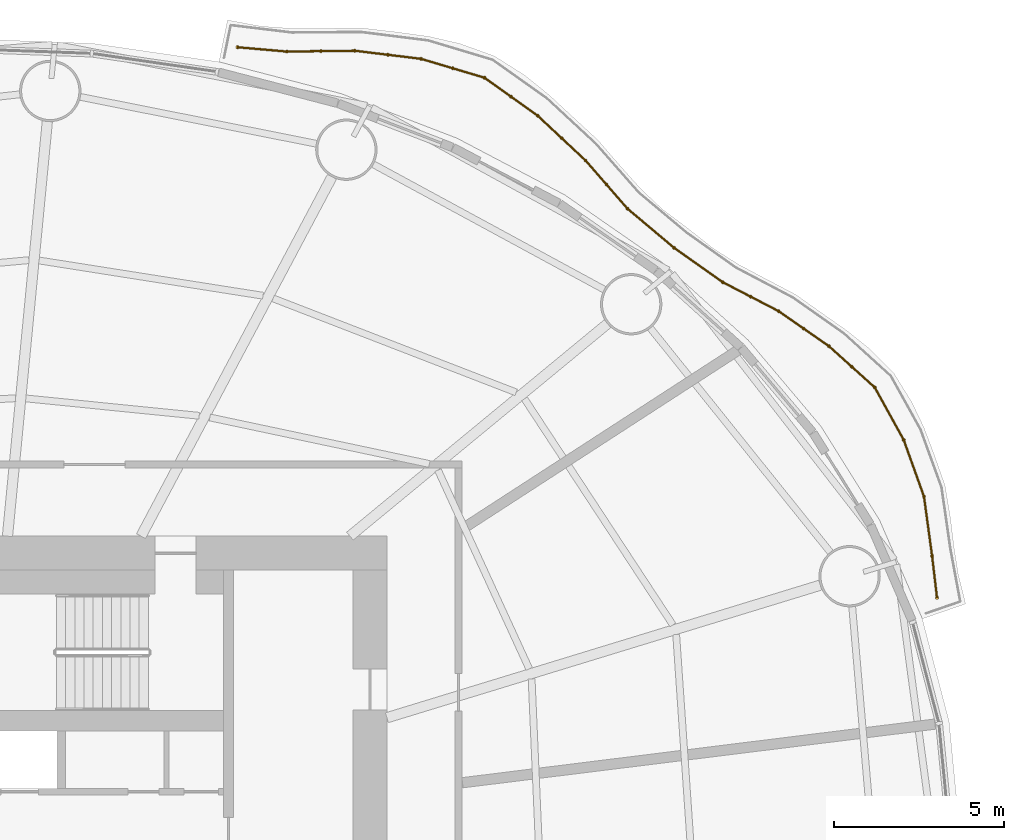
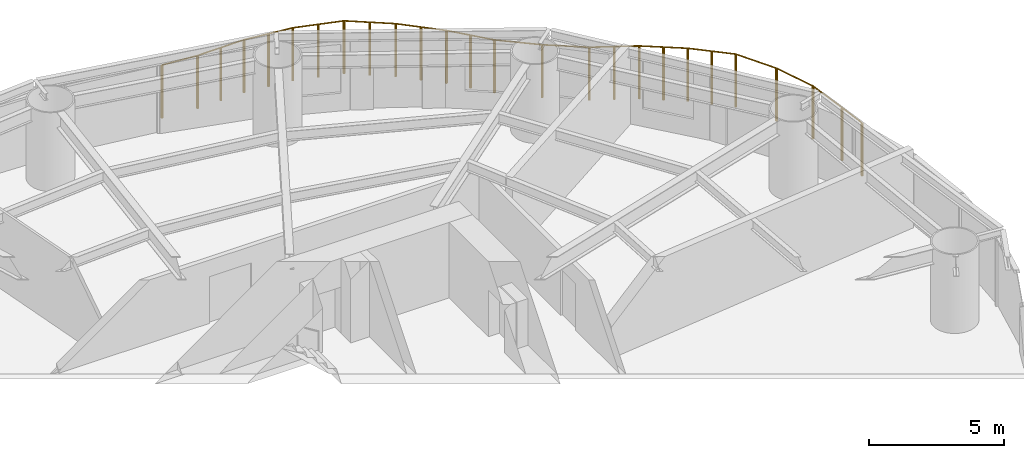
# One storey, part 17 of 17: 1 railing.
"""IFC4 building model written with IfcOpenShell, lengths in metres."""

from ifc_helpers import new_model, si_unit, direction, frame, origin, origin_2d, place, context, subcontext, project, spatial, circle, extrude, material, type_object, element, save


model = new_model("IFC4")

# Units and contexts
model_context = context("Model", 3, precision=1e-05, world=origin(), true_north=direction((0.0, 1.0)))
body_context = subcontext(model_context, "Body", "Model", "MODEL_VIEW")
ifc_project = project(units=[si_unit("LENGTHUNIT", "METRE"), si_unit("AREAUNIT", "SQUARE_METRE"), si_unit("VOLUMEUNIT", "CUBIC_METRE"), si_unit("PLANEANGLEUNIT", "RADIAN"), si_unit("MASSUNIT", "GRAM", prefix="KILO")], contexts=[model_context])

# Site, building, storey
site_placement = place(None, origin())
site = spatial("IfcSite", under=ifc_project, at=site_placement, CompositionType="ELEMENT")
building_placement = place(site_placement, origin())
building = spatial("IfcBuilding", under=site, at=building_placement, Name="Vermilion Reach Broadcast Tower", CompositionType="ELEMENT")
storey_placement = place(building_placement, frame((0.0, 0.0, 39.699951171875)))
storey = spatial("IfcBuildingStorey", under=building, at=storey_placement, Name="L06", CompositionType="ELEMENT", Elevation=39.699951171875)

# Railing
ifc_material = material(Name="Terracotta baguette", Category="masonry")
railing_type = type_object("IfcRailingType", Name="BAGUETTE SCREEN", PredefinedType="USERDEFINED", material=ifc_material)
railing_placement = place(storey_placement, frame((22.14013671875, 7.195556640625, 0.0)))
element("IfcRailing", 1, at=railing_placement, inside=storey, type_object=railing_type, Name="Baguette screen L06 group 1", ObjectType="BAGUETTE SCREEN", PredefinedType="USERDEFINED", context=body_context, shape_type="SweptSolid", body=[
    extrude(circle(Radius=0.030029296875, at=origin_2d()), frame((0.0, 0.0, 2.369873046875), z_axis=(-0.117334886635, 0.993092404753, 0.0), x_axis=(-0.993092404753, -0.117334886635, 0.0)), (0.0, 0.0, 1.0), 1.23388671875),
    extrude(circle(Radius=0.030029296875, at=origin_2d()), frame((-0.144775390625, 1.225341796875, 2.369873046875), z_axis=(-0.135175199937, 0.990821712177, 0.0), x_axis=(-0.990821712177, -0.135175199937, 0.0)), (0.0, 0.0, 1.0), 1.75732421875),
    extrude(circle(Radius=0.030029296875, at=origin_2d()), frame((-0.38232421875, 2.966552734375, 2.369873046875), z_axis=(-0.336888043597, 0.941544712736, 0.0), x_axis=(-0.941544712736, -0.336888043597, 0.0)), (0.0, 0.0, 1.0), 1.76611328125),
    extrude(circle(Radius=0.030029296875, at=origin_2d()), frame((-0.977294921875, 4.62939453125, 2.369873046875), z_axis=(-0.483092038922, 0.875569575722, 0.0), x_axis=(-0.875569575722, -0.483092038922, 0.0)), (0.0, 0.0, 1.0), 1.756591796875),
    extrude(circle(Radius=0.030029296875, at=origin_2d()), frame((-1.825927734375, 6.16748046875, 2.369873046875), z_axis=(-0.743072938115, 0.669210436739, 0.0), x_axis=(-0.669210436739, -0.743072938115, 0.0)), (0.0, 0.0, 1.0), 1.811279296875),
    extrude(circle(Radius=0.030029296875, at=origin_2d()), frame((-3.171875, 7.379638671875, 2.369873046875), z_axis=(-0.820872036576, 0.571112160234, 0.0), x_axis=(-0.571112160234, -0.820872036576, 0.0)), (0.0, 0.0, 1.0), 1.800537109375),
    extrude(circle(Radius=0.030029296875, at=origin_2d()), frame((-4.64990234375, 8.407958984375, 2.369873046875), z_axis=(-0.887952881387, 0.459934430583, 0.0), x_axis=(-0.459934430583, -0.887952881387, 0.0)), (0.0, 0.0, 1.0), 1.843505859375),
    extrude(circle(Radius=0.030029296875, at=origin_2d()), frame((-6.286865234375, 9.255859375, 2.369873046875), z_axis=(-0.816723910272, 0.577028642609, 0.0), x_axis=(-0.577028642609, -0.816723910272, 0.0)), (0.0, 0.0, 1.0), 1.747802734375),
    extrude(circle(Radius=0.030029296875, at=origin_2d()), frame((-7.71435546875, 10.264404296875, 2.369873046875), z_axis=(-0.765785603623, 0.643095956513, 0.0), x_axis=(-0.643095956513, -0.765785603623, 0.0)), (0.0, 0.0, 1.0), 1.786865234375),
    extrude(circle(Radius=0.030029296875, at=origin_2d()), frame((-9.082763671875, 11.41357421875, 2.369873046875), z_axis=(-0.656065798702, 0.754703695349, 0.0), x_axis=(-0.754703695349, -0.656065798702, 0.0)), (0.0, 0.0, 1.0), 1.873779296875),
    extrude(circle(Radius=0.030029296875, at=origin_2d()), frame((-10.31201171875, 12.82763671875, 2.369873046875), z_axis=(-0.730658899325, 0.682742684206, 0.0), x_axis=(-0.682742684206, -0.730658899325, 0.0)), (0.0, 0.0, 1.0), 1.926025390625),
    extrude(circle(Radius=0.030029296875, at=origin_2d()), frame((-11.71923828125, 14.142578125, 2.369873046875), z_axis=(-0.813914135709, 0.58098518027, 0.0), x_axis=(-0.58098518027, -0.813914135709, 0.0)), (0.0, 0.0, 1.0), 1.9169921875),
    extrude(circle(Radius=0.030029296875, at=origin_2d()), frame((-13.279541015625, 15.25634765625, 2.369873046875), z_axis=(-0.958409100418, 0.285397961163, 0.0), x_axis=(-0.285397961163, -0.958409100418, 0.0)), (0.0, 0.0, 1.0), 1.94189453125),
    extrude(circle(Radius=0.030029296875, at=origin_2d()), frame((-15.140625, 15.810546875, 2.369873046875), z_axis=(-0.992623538409, 0.121237415823, 0.0), x_axis=(-0.121237415823, -0.992623538409, 0.0)), (0.0, 0.0, 1.0), 1.955322265625),
    extrude(circle(Radius=0.030029296875, at=origin_2d()), frame((-17.08154296875, 16.047607421875, 2.369873046875), z_axis=(-0.999928172029, -0.011985440418, 0.0), x_axis=(0.011985440418, -0.999928172029, 0.0)), (0.0, 0.0, 1.0), 1.996337890625),
    extrude(circle(Radius=0.030029296875, at=origin_2d()), frame((-19.07763671875, 16.023681640625, 2.369873046875), z_axis=(-0.996200102336, 0.087093949875, 0.0), x_axis=(-0.087093949875, -0.996200102336, 0.0)), (0.0, 0.0, 1.0), 1.4521484375),
    extrude(circle(Radius=0.050048828125, at=origin_2d()), origin(), (0.0, 0.0, 1.0), 2.33984375),
    extrude(circle(Radius=0.050048828125, at=origin_2d()), frame((-0.144775390625, 1.225341796875, 0.0)), (0.0, 0.0, 1.0), 2.33984375),
    extrude(circle(Radius=0.050048828125, at=origin_2d()), frame((-0.38232421875, 2.966552734375, 0.0)), (0.0, 0.0, 1.0), 2.33984375),
    extrude(circle(Radius=0.050048828125, at=origin_2d()), frame((-0.977294921875, 4.62939453125, 0.0)), (0.0, 0.0, 1.0), 2.33984375),
    extrude(circle(Radius=0.050048828125, at=origin_2d()), frame((-1.825927734375, 6.16748046875, 0.0)), (0.0, 0.0, 1.0), 2.33984375),
    extrude(circle(Radius=0.050048828125, at=origin_2d()), frame((-2.4990234375, 6.7734375, 0.0)), (0.0, 0.0, 1.0), 2.33984375),
    extrude(circle(Radius=0.050048828125, at=origin_2d()), frame((-3.171875, 7.379638671875, 0.0)), (0.0, 0.0, 1.0), 2.33984375),
    extrude(circle(Radius=0.050048828125, at=origin_2d()), frame((-3.910888671875, 7.893798828125, 0.0)), (0.0, 0.0, 1.0), 2.33984375),
    extrude(circle(Radius=0.050048828125, at=origin_2d()), frame((-4.64990234375, 8.407958984375, 0.0)), (0.0, 0.0, 1.0), 2.33984375),
    extrude(circle(Radius=0.050048828125, at=origin_2d()), frame((-5.46826171875, 8.83203125, 0.0)), (0.0, 0.0, 1.0), 2.33984375),
    extrude(circle(Radius=0.050048828125, at=origin_2d()), frame((-6.286865234375, 9.255859375, 0.0)), (0.0, 0.0, 1.0), 2.33984375),
    extrude(circle(Radius=0.050048828125, at=origin_2d()), frame((-7.71435546875, 10.264404296875, 0.0)), (0.0, 0.0, 1.0), 2.33984375),
    extrude(circle(Radius=0.050048828125, at=origin_2d()), frame((-9.082763671875, 11.41357421875, 0.0)), (0.0, 0.0, 1.0), 2.33984375),
    extrude(circle(Radius=0.050048828125, at=origin_2d()), frame((-9.697265625, 12.12060546875, 0.0)), (0.0, 0.0, 1.0), 2.33984375),
    extrude(circle(Radius=0.050048828125, at=origin_2d()), frame((-10.31201171875, 12.82763671875, 0.0)), (0.0, 0.0, 1.0), 2.33984375),
    extrude(circle(Radius=0.050048828125, at=origin_2d()), frame((-11.015625, 13.485107421875, 0.0)), (0.0, 0.0, 1.0), 2.33984375),
    extrude(circle(Radius=0.050048828125, at=origin_2d()), frame((-11.71923828125, 14.142578125, 0.0)), (0.0, 0.0, 1.0), 2.33984375),
    extrude(circle(Radius=0.050048828125, at=origin_2d()), frame((-12.49951171875, 14.699462890625, 0.0)), (0.0, 0.0, 1.0), 2.33984375),
    extrude(circle(Radius=0.050048828125, at=origin_2d()), frame((-13.279541015625, 15.25634765625, 0.0)), (0.0, 0.0, 1.0), 2.33984375),
    extrude(circle(Radius=0.050048828125, at=origin_2d()), frame((-14.2099609375, 15.533447265625, 0.0)), (0.0, 0.0, 1.0), 2.33984375),
    extrude(circle(Radius=0.050048828125, at=origin_2d()), frame((-15.140625, 15.810546875, 0.0)), (0.0, 0.0, 1.0), 2.33984375),
    extrude(circle(Radius=0.050048828125, at=origin_2d()), frame((-16.111083984375, 15.92919921875, 0.0)), (0.0, 0.0, 1.0), 2.33984375),
    extrude(circle(Radius=0.050048828125, at=origin_2d()), frame((-17.08154296875, 16.047607421875, 0.0)), (0.0, 0.0, 1.0), 2.33984375),
    extrude(circle(Radius=0.050048828125, at=origin_2d()), frame((-18.07958984375, 16.03564453125, 0.0)), (0.0, 0.0, 1.0), 2.33984375),
    extrude(circle(Radius=0.050048828125, at=origin_2d()), frame((-19.07763671875, 16.023681640625, 0.0)), (0.0, 0.0, 1.0), 2.33984375),
    extrude(circle(Radius=0.050048828125, at=origin_2d()), frame((-20.524169921875, 16.150146484375, 0.0)), (0.0, 0.0, 1.0), 2.33984375),
])

save(model, "model.ifc")
